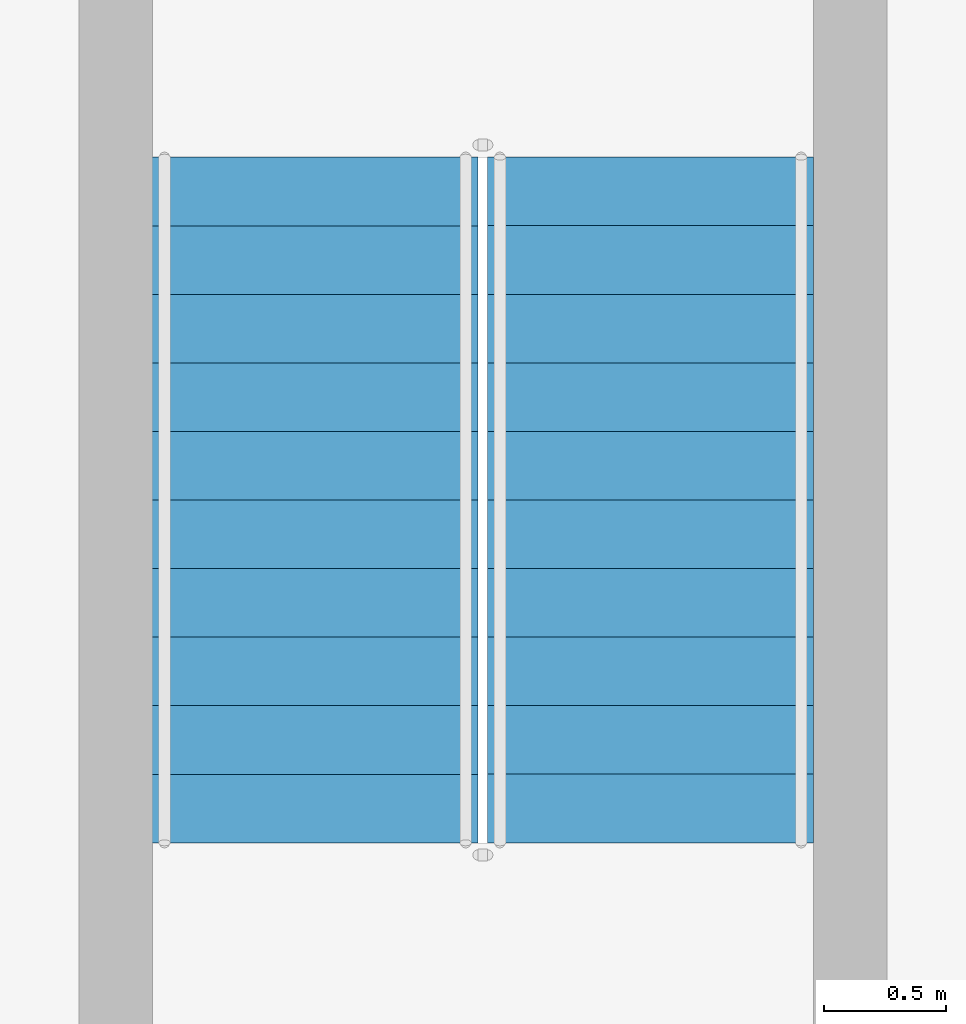
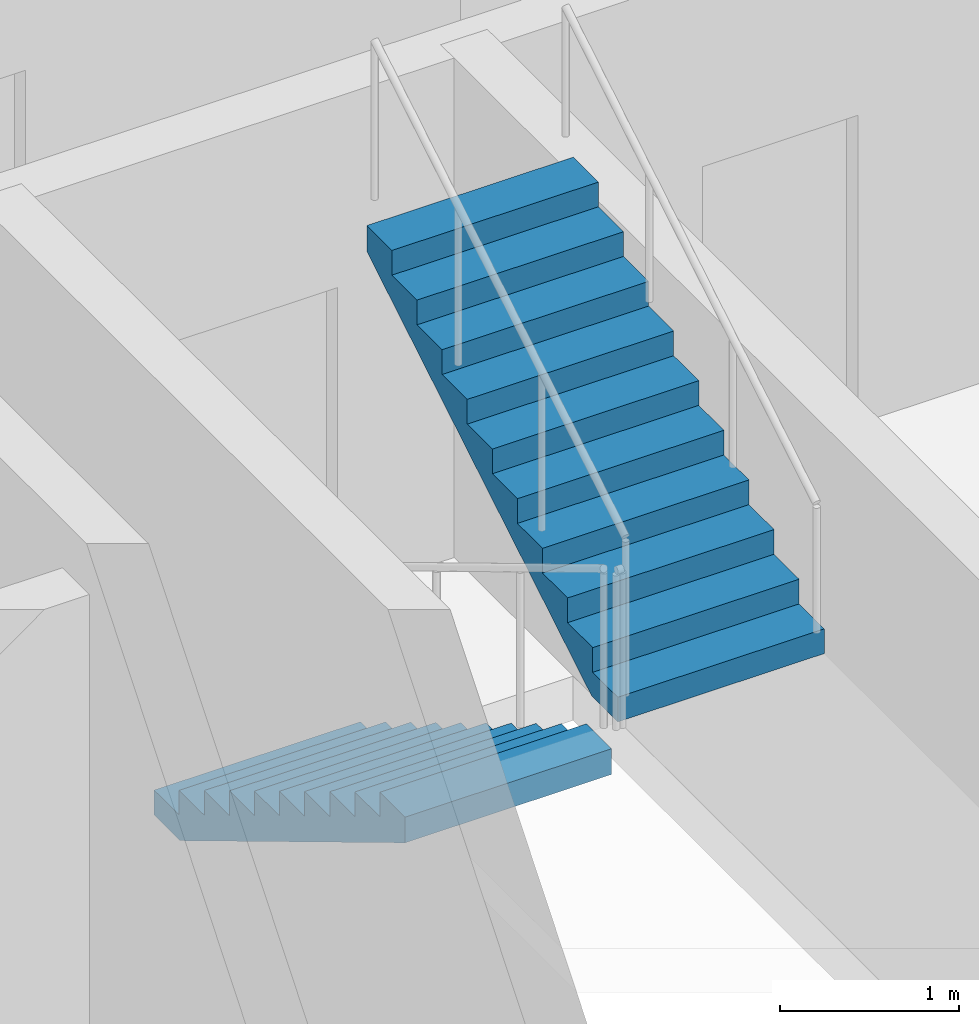
# One storey, part 14 of 18: 2 stair flights, 1 element without a shape of its own.
"""IFC4 building model written with IfcOpenShell, lengths in metres."""

from ifc_helpers import new_model, si_unit, direction, frame, origin, place, context, subcontext, project, spatial, triangles, source, transform, mapped, material, type_object, element, aggregate, save


model = new_model("IFC4")

# Units and contexts
model_context = context("Model", 3, precision=1e-05, world=origin(), true_north=direction((0.0, 1.0)))
body_context = subcontext(model_context, "Body", "Model", "MODEL_VIEW")
ifc_project = project(units=[si_unit("LENGTHUNIT", "METRE"), si_unit("AREAUNIT", "SQUARE_METRE"), si_unit("VOLUMEUNIT", "CUBIC_METRE"), si_unit("PLANEANGLEUNIT", "RADIAN"), si_unit("MASSUNIT", "GRAM", prefix="KILO")], contexts=[model_context])

# Site, building, storey
site_placement = place(None, origin())
site = spatial("IfcSite", under=ifc_project, at=site_placement, CompositionType="ELEMENT")
building_placement = place(site_placement, origin())
building = spatial("IfcBuilding", under=site, at=building_placement, Name="Ogive Portal Towers", CompositionType="ELEMENT")
storey_placement = place(building_placement, frame((0.0, 0.0, 240.199951171875)))
storey = spatial("IfcBuildingStorey", under=building, at=storey_placement, Name="L60", CompositionType="ELEMENT", Elevation=240.199951171875)

# Stair, stair flights
ifc_material = material(Name="Concrete C40/50", Category="concrete")
stair_type = type_object("IfcStairType", Name="INT-STAIR", PredefinedType="HALF_TURN_STAIR", material=ifc_material)
stair_placement = place(storey_placement, origin())
stair = element("IfcStair", 1, at=stair_placement, inside=storey, type_object=stair_type, Name="L60 Exit Stair ST-A4", PredefinedType="HALF_TURN_STAIR")
stair_flight_type = type_object("IfcStairFlightType", Name="INT-FLIGHT", PredefinedType="STRAIGHT", material=ifc_material)
shared_shape = source(origin(), body_context, "Body", "Tessellation", [
    triangles([(0.0, -0.6650390625, 0.0), (0.0, -0.384765625, 0.0), (0.0, -0.197021484375, 0.0), (0.0, -0.0830078125, 0.0), (0.0, -0.024658203125, 0.0), (0.0, -0.003173828125, 0.0), (0.0, 0.0, 0.0), (0.0, 0.003173828125, 0.0), (0.0, 0.024658203125, 0.0), (0.0, 0.0830078125, 0.0), (0.0, 0.197021484375, 0.0), (0.0, 0.384765625, 0.0), (0.0, 0.6650390625, 0.0), (0.0, -0.6650390625, 0.168212890625), (0.0, -0.384765625, 0.168212890625), (0.0, -0.197021484375, 0.168212890625), (0.0, -0.0830078125, 0.168212890625), (0.0, -0.024658203125, 0.168212890625), (0.0, -0.003173828125, 0.168212890625), (0.0, 0.0, 0.168212890625), (0.0, 0.003173828125, 0.168212890625), (0.0, 0.024658203125, 0.168212890625), (0.0, 0.0830078125, 0.168212890625), (0.0, 0.197021484375, 0.168212890625), (0.0, 0.384765625, 0.168212890625), (0.0, 0.6650390625, 0.168212890625), (0.280029296875, -0.6650390625, 0.168212890625), (0.280029296875, -0.384765625, 0.168212890625), (0.280029296875, -0.197021484375, 0.168212890625), (0.280029296875, -0.0830078125, 0.168212890625), (0.280029296875, -0.024658203125, 0.168212890625), (0.280029296875, -0.003173828125, 0.168212890625), (0.280029296875, 0.0, 0.168212890625), (0.280029296875, 0.003173828125, 0.168212890625), (0.280029296875, 0.024658203125, 0.168212890625), (0.280029296875, 0.0830078125, 0.168212890625), (0.280029296875, 0.197021484375, 0.168212890625), (0.280029296875, 0.384765625, 0.168212890625), (0.280029296875, 0.6650390625, 0.168212890625), (0.280029296875, -0.6650390625, 0.33642578125), (0.280029296875, -0.384765625, 0.33642578125), (0.280029296875, -0.197021484375, 0.33642578125), (0.280029296875, -0.0830078125, 0.33642578125), (0.280029296875, -0.024658203125, 0.33642578125), (0.280029296875, -0.003173828125, 0.33642578125), (0.280029296875, 0.0, 0.33642578125), (0.280029296875, 0.003173828125, 0.33642578125), (0.280029296875, 0.024658203125, 0.33642578125), (0.280029296875, 0.0830078125, 0.33642578125), (0.280029296875, 0.197021484375, 0.33642578125), (0.280029296875, 0.384765625, 0.33642578125), (0.280029296875, 0.6650390625, 0.33642578125), (0.56005859375, -0.6650390625, 0.33642578125), (0.56005859375, -0.384765625, 0.33642578125), (0.56005859375, -0.197021484375, 0.33642578125), (0.56005859375, -0.0830078125, 0.33642578125), (0.56005859375, -0.024658203125, 0.33642578125), (0.56005859375, -0.003173828125, 0.33642578125), (0.56005859375, 0.0, 0.33642578125), (0.56005859375, 0.003173828125, 0.33642578125), (0.56005859375, 0.024658203125, 0.33642578125), (0.56005859375, 0.0830078125, 0.33642578125), (0.56005859375, 0.197021484375, 0.33642578125), (0.56005859375, 0.384765625, 0.33642578125), (0.56005859375, 0.6650390625, 0.33642578125), (0.56005859375, -0.6650390625, 0.504638671875), (0.56005859375, -0.384765625, 0.504638671875), (0.56005859375, -0.197021484375, 0.504638671875), (0.56005859375, -0.0830078125, 0.504638671875), (0.56005859375, -0.024658203125, 0.504638671875), (0.56005859375, -0.003173828125, 0.504638671875), (0.56005859375, 0.0, 0.504638671875), (0.56005859375, 0.003173828125, 0.504638671875), (0.56005859375, 0.024658203125, 0.504638671875), (0.56005859375, 0.0830078125, 0.504638671875), (0.56005859375, 0.197021484375, 0.504638671875), (0.56005859375, 0.384765625, 0.504638671875), (0.56005859375, 0.6650390625, 0.504638671875), (0.840087890625, -0.6650390625, 0.504638671875), (0.840087890625, -0.384765625, 0.504638671875), (0.840087890625, -0.197021484375, 0.504638671875), (0.840087890625, -0.0830078125, 0.504638671875), (0.840087890625, -0.024658203125, 0.504638671875), (0.840087890625, -0.003173828125, 0.504638671875), (0.840087890625, 0.0, 0.504638671875), (0.840087890625, 0.003173828125, 0.504638671875), (0.840087890625, 0.024658203125, 0.504638671875), (0.840087890625, 0.0830078125, 0.504638671875), (0.840087890625, 0.197021484375, 0.504638671875), (0.840087890625, 0.384765625, 0.504638671875), (0.840087890625, 0.6650390625, 0.504638671875), (0.840087890625, -0.6650390625, 0.672607421875), (0.840087890625, -0.384765625, 0.672607421875), (0.840087890625, -0.197021484375, 0.672607421875), (0.840087890625, -0.0830078125, 0.672607421875), (0.840087890625, -0.024658203125, 0.672607421875), (0.840087890625, -0.003173828125, 0.672607421875), (0.840087890625, 0.0, 0.672607421875), (0.840087890625, 0.003173828125, 0.672607421875), (0.840087890625, 0.024658203125, 0.672607421875), (0.840087890625, 0.0830078125, 0.672607421875), (0.840087890625, 0.197021484375, 0.672607421875), (0.840087890625, 0.384765625, 0.672607421875), (0.840087890625, 0.6650390625, 0.672607421875), (1.1201171875, -0.6650390625, 0.672607421875), (1.1201171875, -0.384765625, 0.672607421875), (1.1201171875, -0.197021484375, 0.672607421875), (1.1201171875, -0.0830078125, 0.672607421875), (1.1201171875, -0.024658203125, 0.672607421875), (1.1201171875, -0.003173828125, 0.672607421875), (1.1201171875, 0.0, 0.672607421875), (1.1201171875, 0.003173828125, 0.672607421875), (1.1201171875, 0.024658203125, 0.672607421875), (1.1201171875, 0.0830078125, 0.672607421875), (1.1201171875, 0.197021484375, 0.672607421875), (1.1201171875, 0.384765625, 0.672607421875), (1.1201171875, 0.6650390625, 0.672607421875), (1.1201171875, -0.6650390625, 0.8408203125), (1.1201171875, -0.384765625, 0.8408203125), (1.1201171875, -0.197021484375, 0.8408203125), (1.1201171875, -0.0830078125, 0.8408203125), (1.1201171875, -0.024658203125, 0.8408203125), (1.1201171875, -0.003173828125, 0.8408203125), (1.1201171875, 0.0, 0.8408203125), (1.1201171875, 0.003173828125, 0.8408203125), (1.1201171875, 0.024658203125, 0.8408203125), (1.1201171875, 0.0830078125, 0.8408203125), (1.1201171875, 0.197021484375, 0.8408203125), (1.1201171875, 0.384765625, 0.8408203125), (1.1201171875, 0.6650390625, 0.8408203125), (1.39990234375, -0.6650390625, 0.8408203125), (1.39990234375, -0.384765625, 0.8408203125), (1.39990234375, -0.197021484375, 0.8408203125), (1.39990234375, -0.0830078125, 0.8408203125), (1.39990234375, -0.024658203125, 0.8408203125), (1.39990234375, -0.003173828125, 0.8408203125), (1.39990234375, 0.0, 0.8408203125), (1.39990234375, 0.003173828125, 0.8408203125), (1.39990234375, 0.024658203125, 0.8408203125), (1.39990234375, 0.0830078125, 0.8408203125), (1.39990234375, 0.197021484375, 0.8408203125), (1.39990234375, 0.384765625, 0.8408203125), (1.39990234375, 0.6650390625, 0.8408203125), (1.39990234375, -0.6650390625, 1.009033203125), (1.39990234375, -0.384765625, 1.009033203125), (1.39990234375, -0.197021484375, 1.009033203125), (1.39990234375, -0.0830078125, 1.009033203125), (1.39990234375, -0.024658203125, 1.009033203125), (1.39990234375, -0.003173828125, 1.009033203125), (1.39990234375, 0.0, 1.009033203125), (1.39990234375, 0.003173828125, 1.009033203125), (1.39990234375, 0.024658203125, 1.009033203125), (1.39990234375, 0.0830078125, 1.009033203125), (1.39990234375, 0.197021484375, 1.009033203125), (1.39990234375, 0.384765625, 1.009033203125), (1.39990234375, 0.6650390625, 1.009033203125), (1.679931640625, -0.6650390625, 1.009033203125), (1.679931640625, -0.384765625, 1.009033203125), (1.679931640625, -0.197021484375, 1.009033203125), (1.679931640625, -0.0830078125, 1.009033203125), (1.679931640625, -0.024658203125, 1.009033203125), (1.679931640625, -0.003173828125, 1.009033203125), (1.679931640625, 0.0, 1.009033203125), (1.679931640625, 0.003173828125, 1.009033203125), (1.679931640625, 0.024658203125, 1.009033203125), (1.679931640625, 0.0830078125, 1.009033203125), (1.679931640625, 0.197021484375, 1.009033203125), (1.679931640625, 0.384765625, 1.009033203125), (1.679931640625, 0.6650390625, 1.009033203125), (1.679931640625, -0.6650390625, 1.17724609375), (1.679931640625, -0.384765625, 1.17724609375), (1.679931640625, -0.197021484375, 1.17724609375), (1.679931640625, -0.0830078125, 1.17724609375), (1.679931640625, -0.024658203125, 1.17724609375), (1.679931640625, -0.003173828125, 1.17724609375), (1.679931640625, 0.0, 1.17724609375), (1.679931640625, 0.003173828125, 1.17724609375), (1.679931640625, 0.024658203125, 1.17724609375), (1.679931640625, 0.0830078125, 1.17724609375), (1.679931640625, 0.197021484375, 1.17724609375), (1.679931640625, 0.384765625, 1.17724609375), (1.679931640625, 0.6650390625, 1.17724609375), (1.9599609375, -0.6650390625, 1.17724609375), (1.9599609375, -0.384765625, 1.17724609375), (1.9599609375, -0.197021484375, 1.17724609375), (1.9599609375, -0.0830078125, 1.17724609375), (1.9599609375, -0.024658203125, 1.17724609375), (1.9599609375, -0.003173828125, 1.17724609375), (1.9599609375, 0.0, 1.17724609375), (1.9599609375, 0.003173828125, 1.17724609375), (1.9599609375, 0.024658203125, 1.17724609375), (1.9599609375, 0.0830078125, 1.17724609375), (1.9599609375, 0.197021484375, 1.17724609375), (1.9599609375, 0.384765625, 1.17724609375), (1.9599609375, 0.6650390625, 1.17724609375), (1.9599609375, -0.6650390625, 1.345458984375), (1.9599609375, -0.384765625, 1.345458984375), (1.9599609375, -0.197021484375, 1.345458984375), (1.9599609375, -0.0830078125, 1.345458984375), (1.9599609375, -0.024658203125, 1.345458984375), (1.9599609375, -0.003173828125, 1.345458984375), (1.9599609375, 0.0, 1.345458984375), (1.9599609375, 0.003173828125, 1.345458984375), (1.9599609375, 0.024658203125, 1.345458984375), (1.9599609375, 0.0830078125, 1.345458984375), (1.9599609375, 0.197021484375, 1.345458984375), (1.9599609375, 0.384765625, 1.345458984375), (1.9599609375, 0.6650390625, 1.345458984375), (2.239990234375, -0.6650390625, 1.345458984375), (2.239990234375, -0.384765625, 1.345458984375), (2.239990234375, -0.197021484375, 1.345458984375), (2.239990234375, -0.0830078125, 1.345458984375), (2.239990234375, -0.024658203125, 1.345458984375), (2.239990234375, -0.003173828125, 1.345458984375), (2.239990234375, 0.0, 1.345458984375), (2.239990234375, 0.003173828125, 1.345458984375), (2.239990234375, 0.024658203125, 1.345458984375), (2.239990234375, 0.0830078125, 1.345458984375), (2.239990234375, 0.197021484375, 1.345458984375), (2.239990234375, 0.384765625, 1.345458984375), (2.239990234375, 0.6650390625, 1.345458984375), (2.239990234375, -0.6650390625, 1.513671875), (2.239990234375, -0.384765625, 1.513671875), (2.239990234375, -0.197021484375, 1.513671875), (2.239990234375, -0.0830078125, 1.513671875), (2.239990234375, -0.024658203125, 1.513671875), (2.239990234375, -0.003173828125, 1.513671875), (2.239990234375, 0.0, 1.513671875), (2.239990234375, 0.003173828125, 1.513671875), (2.239990234375, 0.024658203125, 1.513671875), (2.239990234375, 0.0830078125, 1.513671875), (2.239990234375, 0.197021484375, 1.513671875), (2.239990234375, 0.384765625, 1.513671875), (2.239990234375, 0.6650390625, 1.513671875), (2.52001953125, -0.6650390625, 1.513671875), (2.52001953125, -0.384765625, 1.513671875), (2.52001953125, -0.197021484375, 1.513671875), (2.52001953125, -0.0830078125, 1.513671875), (2.52001953125, -0.024658203125, 1.513671875), (2.52001953125, -0.003173828125, 1.513671875), (2.52001953125, 0.0, 1.513671875), (2.52001953125, 0.003173828125, 1.513671875), (2.52001953125, 0.024658203125, 1.513671875), (2.52001953125, 0.0830078125, 1.513671875), (2.52001953125, 0.197021484375, 1.513671875), (2.52001953125, 0.384765625, 1.513671875), (2.52001953125, 0.6650390625, 1.513671875), (2.52001953125, -0.6650390625, 1.681884765625), (2.52001953125, -0.384765625, 1.681884765625), (2.52001953125, -0.197021484375, 1.681884765625), (2.52001953125, -0.0830078125, 1.681884765625), (2.52001953125, -0.024658203125, 1.681884765625), (2.52001953125, -0.003173828125, 1.681884765625), (2.52001953125, 0.0, 1.681884765625), (2.52001953125, 0.003173828125, 1.681884765625), (2.52001953125, 0.024658203125, 1.681884765625), (2.52001953125, 0.0830078125, 1.681884765625), (2.52001953125, 0.197021484375, 1.681884765625), (2.52001953125, 0.384765625, 1.681884765625), (2.52001953125, 0.6650390625, 1.681884765625), (2.800048828125, -0.6650390625, 1.681884765625), (2.800048828125, -0.384765625, 1.681884765625), (2.800048828125, -0.197021484375, 1.681884765625), (2.800048828125, -0.0830078125, 1.681884765625), (2.800048828125, -0.024658203125, 1.681884765625), (2.800048828125, -0.003173828125, 1.681884765625), (2.800048828125, 0.0, 1.681884765625), (2.800048828125, 0.003173828125, 1.681884765625), (2.800048828125, 0.024658203125, 1.681884765625), (2.800048828125, 0.0830078125, 1.681884765625), (2.800048828125, 0.197021484375, 1.681884765625), (2.800048828125, 0.384765625, 1.681884765625), (2.800048828125, 0.6650390625, 1.681884765625), (2.800048828125, -0.6650390625, 1.5068359375), (2.800048828125, -0.384765625, 1.5068359375), (2.800048828125, -0.197021484375, 1.5068359375), (2.800048828125, -0.0830078125, 1.5068359375), (2.800048828125, -0.024658203125, 1.5068359375), (2.800048828125, -0.003173828125, 1.5068359375), (2.800048828125, 0.0, 1.5068359375), (2.800048828125, 0.003173828125, 1.5068359375), (2.800048828125, 0.024658203125, 1.5068359375), (2.800048828125, 0.0830078125, 1.5068359375), (2.800048828125, 0.197021484375, 1.5068359375), (2.800048828125, 0.384765625, 1.5068359375), (2.800048828125, 0.6650390625, 1.5068359375), (0.291015625, -0.6650390625, 0.0), (0.291015625, -0.384765625, 0.0), (0.291015625, -0.197021484375, 0.0), (0.291015625, -0.0830078125, 0.0), (0.291015625, -0.024658203125, 0.0), (0.291015625, -0.003173828125, 0.0), (0.291015625, 0.0, 0.0), (0.291015625, 0.003173828125, 0.0), (0.291015625, 0.024658203125, 0.0), (0.291015625, 0.0830078125, 0.0), (0.291015625, 0.197021484375, 0.0), (0.291015625, 0.384765625, 0.0), (0.291015625, 0.6650390625, 0.0)], [[1, 14, 15], [1, 15, 2], [2, 15, 16], [2, 16, 3], [3, 16, 17], [3, 17, 4], [4, 17, 18], [4, 18, 5], [5, 18, 19], [5, 19, 6], [6, 19, 20], [6, 20, 7], [7, 20, 21], [7, 21, 8], [8, 21, 22], [8, 22, 9], [9, 22, 23], [9, 23, 10], [10, 23, 24], [10, 24, 11], [11, 24, 25], [11, 25, 12], [12, 25, 26], [12, 26, 13], [14, 27, 28], [14, 28, 15], [15, 28, 29], [15, 29, 16], [16, 29, 30], [16, 30, 17], [17, 30, 31], [17, 31, 18], [18, 31, 32], [18, 32, 19], [19, 32, 33], [19, 33, 20], [20, 33, 34], [20, 34, 21], [21, 34, 35], [21, 35, 22], [22, 35, 36], [22, 36, 23], [23, 36, 37], [23, 37, 24], [24, 37, 38], [24, 38, 25], [25, 38, 39], [25, 39, 26], [27, 40, 41], [27, 41, 28], [28, 41, 42], [28, 42, 29], [29, 42, 43], [29, 43, 30], [30, 43, 44], [30, 44, 31], [31, 44, 45], [31, 45, 32], [32, 45, 46], [32, 46, 33], [33, 46, 47], [33, 47, 34], [34, 47, 48], [34, 48, 35], [35, 48, 49], [35, 49, 36], [36, 49, 50], [36, 50, 37], [37, 50, 51], [37, 51, 38], [38, 51, 52], [38, 52, 39], [40, 53, 54], [40, 54, 41], [41, 54, 55], [41, 55, 42], [42, 55, 56], [42, 56, 43], [43, 56, 57], [43, 57, 44], [44, 57, 58], [44, 58, 45], [45, 58, 59], [45, 59, 46], [46, 59, 60], [46, 60, 47], [47, 60, 61], [47, 61, 48], [48, 61, 62], [48, 62, 49], [49, 62, 63], [49, 63, 50], [50, 63, 64], [50, 64, 51], [51, 64, 65], [51, 65, 52], [53, 66, 67], [53, 67, 54], [54, 67, 68], [54, 68, 55], [55, 68, 69], [55, 69, 56], [56, 69, 70], [56, 70, 57], [57, 70, 71], [57, 71, 58], [58, 71, 72], [58, 72, 59], [59, 72, 73], [59, 73, 60], [60, 73, 74], [60, 74, 61], [61, 74, 75], [61, 75, 62], [62, 75, 76], [62, 76, 63], [63, 76, 77], [63, 77, 64], [64, 77, 78], [64, 78, 65], [66, 79, 80], [66, 80, 67], [67, 80, 81], [67, 81, 68], [68, 81, 82], [68, 82, 69], [69, 82, 83], [69, 83, 70], [70, 83, 84], [70, 84, 71], [71, 84, 85], [71, 85, 72], [72, 85, 86], [72, 86, 73], [73, 86, 87], [73, 87, 74], [74, 87, 88], [74, 88, 75], [75, 88, 89], [75, 89, 76], [76, 89, 90], [76, 90, 77], [77, 90, 91], [77, 91, 78], [79, 92, 93], [79, 93, 80], [80, 93, 94], [80, 94, 81], [81, 94, 95], [81, 95, 82], [82, 95, 96], [82, 96, 83], [83, 96, 97], [83, 97, 84], [84, 97, 98], [84, 98, 85], [85, 98, 99], [85, 99, 86], [86, 99, 100], [86, 100, 87], [87, 100, 101], [87, 101, 88], [88, 101, 102], [88, 102, 89], [89, 102, 103], [89, 103, 90], [90, 103, 104], [90, 104, 91], [92, 105, 106], [92, 106, 93], [93, 106, 107], [93, 107, 94], [94, 107, 108], [94, 108, 95], [95, 108, 109], [95, 109, 96], [96, 109, 110], [96, 110, 97], [97, 110, 111], [97, 111, 98], [98, 111, 112], [98, 112, 99], [99, 112, 113], [99, 113, 100], [100, 113, 114], [100, 114, 101], [101, 114, 115], [101, 115, 102], [102, 115, 116], [102, 116, 103], [103, 116, 117], [103, 117, 104], [105, 118, 119], [105, 119, 106], [106, 119, 120], [106, 120, 107], [107, 120, 121], [107, 121, 108], [108, 121, 122], [108, 122, 109], [109, 122, 123], [109, 123, 110], [110, 123, 124], [110, 124, 111], [111, 124, 125], [111, 125, 112], [112, 125, 126], [112, 126, 113], [113, 126, 127], [113, 127, 114], [114, 127, 128], [114, 128, 115], [115, 128, 129], [115, 129, 116], [116, 129, 130], [116, 130, 117], [118, 131, 132], [118, 132, 119], [119, 132, 133], [119, 133, 120], [120, 133, 134], [120, 134, 121], [121, 134, 135], [121, 135, 122], [122, 135, 136], [122, 136, 123], [123, 136, 137], [123, 137, 124], [124, 137, 138], [124, 138, 125], [125, 138, 139], [125, 139, 126], [126, 139, 140], [126, 140, 127], [127, 140, 141], [127, 141, 128], [128, 141, 142], [128, 142, 129], [129, 142, 143], [129, 143, 130], [131, 144, 145], [131, 145, 132], [132, 145, 146], [132, 146, 133], [133, 146, 147], [133, 147, 134], [134, 147, 148], [134, 148, 135], [135, 148, 149], [135, 149, 136], [136, 149, 150], [136, 150, 137], [137, 150, 151], [137, 151, 138], [138, 151, 152], [138, 152, 139], [139, 152, 153], [139, 153, 140], [140, 153, 154], [140, 154, 141], [141, 154, 155], [141, 155, 142], [142, 155, 156], [142, 156, 143], [144, 157, 158], [144, 158, 145], [145, 158, 159], [145, 159, 146], [146, 159, 160], [146, 160, 147], [147, 160, 161], [147, 161, 148], [148, 161, 162], [148, 162, 149], [149, 162, 163], [149, 163, 150], [150, 163, 164], [150, 164, 151], [151, 164, 165], [151, 165, 152], [152, 165, 166], [152, 166, 153], [153, 166, 167], [153, 167, 154], [154, 167, 168], [154, 168, 155], [155, 168, 169], [155, 169, 156], [157, 170, 171], [157, 171, 158], [158, 171, 172], [158, 172, 159], [159, 172, 173], [159, 173, 160], [160, 173, 174], [160, 174, 161], [161, 174, 175], [161, 175, 162], [162, 175, 176], [162, 176, 163], [163, 176, 177], [163, 177, 164], [164, 177, 178], [164, 178, 165], [165, 178, 179], [165, 179, 166], [166, 179, 180], [166, 180, 167], [167, 180, 181], [167, 181, 168], [168, 181, 182], [168, 182, 169], [170, 183, 184], [170, 184, 171], [171, 184, 185], [171, 185, 172], [172, 185, 186], [172, 186, 173], [173, 186, 187], [173, 187, 174], [174, 187, 188], [174, 188, 175], [175, 188, 189], [175, 189, 176], [176, 189, 190], [176, 190, 177], [177, 190, 191], [177, 191, 178], [178, 191, 192], [178, 192, 179], [179, 192, 193], [179, 193, 180], [180, 193, 194], [180, 194, 181], [181, 194, 195], [181, 195, 182], [183, 196, 197], [183, 197, 184], [184, 197, 198], [184, 198, 185], [185, 198, 199], [185, 199, 186], [186, 199, 200], [186, 200, 187], [187, 200, 201], [187, 201, 188], [188, 201, 202], [188, 202, 189], [189, 202, 203], [189, 203, 190], [190, 203, 204], [190, 204, 191], [191, 204, 205], [191, 205, 192], [192, 205, 206], [192, 206, 193], [193, 206, 207], [193, 207, 194], [194, 207, 208], [194, 208, 195], [196, 209, 210], [196, 210, 197], [197, 210, 211], [197, 211, 198], [198, 211, 212], [198, 212, 199], [199, 212, 213], [199, 213, 200], [200, 213, 214], [200, 214, 201], [201, 214, 215], [201, 215, 202], [202, 215, 216], [202, 216, 203], [203, 216, 217], [203, 217, 204], [204, 217, 218], [204, 218, 205], [205, 218, 219], [205, 219, 206], [206, 219, 220], [206, 220, 207], [207, 220, 221], [207, 221, 208], [209, 222, 223], [209, 223, 210], [210, 223, 224], [210, 224, 211], [211, 224, 225], [211, 225, 212], [212, 225, 226], [212, 226, 213], [213, 226, 227], [213, 227, 214], [214, 227, 228], [214, 228, 215], [215, 228, 229], [215, 229, 216], [216, 229, 230], [216, 230, 217], [217, 230, 231], [217, 231, 218], [218, 231, 232], [218, 232, 219], [219, 232, 233], [219, 233, 220], [220, 233, 234], [220, 234, 221], [222, 235, 236], [222, 236, 223], [223, 236, 237], [223, 237, 224], [224, 237, 238], [224, 238, 225], [225, 238, 239], [225, 239, 226], [226, 239, 240], [226, 240, 227], [227, 240, 241], [227, 241, 228], [228, 241, 242], [228, 242, 229], [229, 242, 243], [229, 243, 230], [230, 243, 244], [230, 244, 231], [231, 244, 245], [231, 245, 232], [232, 245, 246], [232, 246, 233], [233, 246, 247], [233, 247, 234], [235, 248, 249], [235, 249, 236], [236, 249, 250], [236, 250, 237], [237, 250, 251], [237, 251, 238], [238, 251, 252], [238, 252, 239], [239, 252, 253], [239, 253, 240], [240, 253, 254], [240, 254, 241], [241, 254, 255], [241, 255, 242], [242, 255, 256], [242, 256, 243], [243, 256, 257], [243, 257, 244], [244, 257, 258], [244, 258, 245], [245, 258, 259], [245, 259, 246], [246, 259, 260], [246, 260, 247], [248, 261, 262], [248, 262, 249], [249, 262, 263], [249, 263, 250], [250, 263, 264], [250, 264, 251], [251, 264, 265], [251, 265, 252], [252, 265, 266], [252, 266, 253], [253, 266, 267], [253, 267, 254], [254, 267, 268], [254, 268, 255], [255, 268, 269], [255, 269, 256], [256, 269, 270], [256, 270, 257], [257, 270, 271], [257, 271, 258], [258, 271, 272], [258, 272, 259], [259, 272, 273], [259, 273, 260], [261, 274, 275], [261, 275, 262], [262, 275, 276], [262, 276, 263], [263, 276, 277], [263, 277, 264], [264, 277, 278], [264, 278, 265], [265, 278, 279], [265, 279, 266], [266, 279, 280], [266, 280, 267], [267, 280, 281], [267, 281, 268], [268, 281, 282], [268, 282, 269], [269, 282, 283], [269, 283, 270], [270, 283, 284], [270, 284, 271], [271, 284, 285], [271, 285, 272], [272, 285, 286], [272, 286, 273], [274, 287, 288], [274, 288, 275], [275, 288, 289], [275, 289, 276], [276, 289, 290], [276, 290, 277], [277, 290, 291], [277, 291, 278], [278, 291, 292], [278, 292, 279], [279, 292, 293], [279, 293, 280], [280, 293, 294], [280, 294, 281], [281, 294, 295], [281, 295, 282], [282, 295, 296], [282, 296, 283], [283, 296, 297], [283, 297, 284], [284, 297, 298], [284, 298, 285], [285, 298, 299], [285, 299, 286], [287, 1, 2], [287, 2, 288], [288, 2, 3], [288, 3, 289], [289, 3, 4], [289, 4, 290], [290, 4, 5], [290, 5, 291], [291, 5, 6], [291, 6, 292], [292, 6, 7], [292, 7, 293], [293, 7, 8], [293, 8, 294], [294, 8, 9], [294, 9, 295], [295, 9, 10], [295, 10, 296], [296, 10, 11], [296, 11, 297], [297, 11, 12], [297, 12, 298], [298, 12, 13], [298, 13, 299], [1, 287, 274], [13, 286, 299], [274, 261, 248], [286, 260, 273], [274, 248, 235], [286, 247, 260], [274, 235, 222], [286, 234, 247], [274, 222, 209], [286, 221, 234], [209, 196, 183], [221, 195, 208], [274, 209, 183], [286, 195, 221], [183, 170, 157], [195, 169, 182], [274, 183, 157], [286, 169, 195], [157, 144, 131], [169, 143, 156], [274, 157, 131], [286, 143, 169], [131, 118, 105], [143, 117, 130], [274, 131, 105], [286, 117, 143], [1, 274, 105], [13, 117, 286], [105, 92, 79], [117, 91, 104], [79, 66, 53], [91, 65, 78], [105, 79, 53], [117, 65, 91], [53, 40, 27], [65, 39, 52], [105, 53, 27], [117, 39, 65], [1, 105, 27], [13, 39, 117], [27, 14, 1], [39, 13, 26]], closed=True),
])
stair_flight_1_placement = place(storey_placement, frame((87.6650390625, 29.169921875, 0.0), z_axis=(0.0, 0.0, 1.0), x_axis=(0.0, -1.0, 0.0)))
stair_flight_1 = element("IfcStairFlight", 2, at=stair_flight_1_placement, type_object=stair_flight_type, Name="ST-A4 flight 1", NumberOfRisers=11, NumberOfTreads=10, PredefinedType="STRAIGHT", RiserHeight=0.168181818, TreadLength=0.28, context=body_context, shape_type="MappedRepresentation", body=[
    mapped(shared_shape, transform((0.0, 0.0, 0.0), scale=1.0)),
])
stair_flight_2_placement = place(storey_placement, frame((89.034912109375, 26.3701171875, 1.85009765625), z_axis=(0.0, 0.0, 1.0), x_axis=(0.0, 1.0, 0.0)))
stair_flight_2 = element("IfcStairFlight", 3, at=stair_flight_2_placement, type_object=stair_flight_type, Name="ST-A4 flight 2", NumberOfRisers=11, NumberOfTreads=10, PredefinedType="STRAIGHT", RiserHeight=0.168181818, TreadLength=0.28, context=body_context, shape_type="MappedRepresentation", body=[
    mapped(shared_shape, transform((0.0, 0.0, 0.0), scale=1.0)),
])
aggregate(stair, [stair_flight_1, stair_flight_2])

save(model, "model.ifc")
